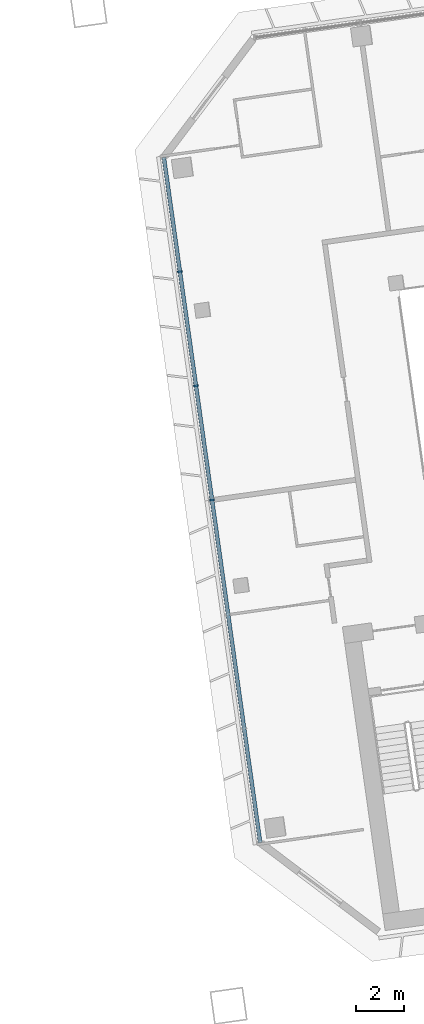
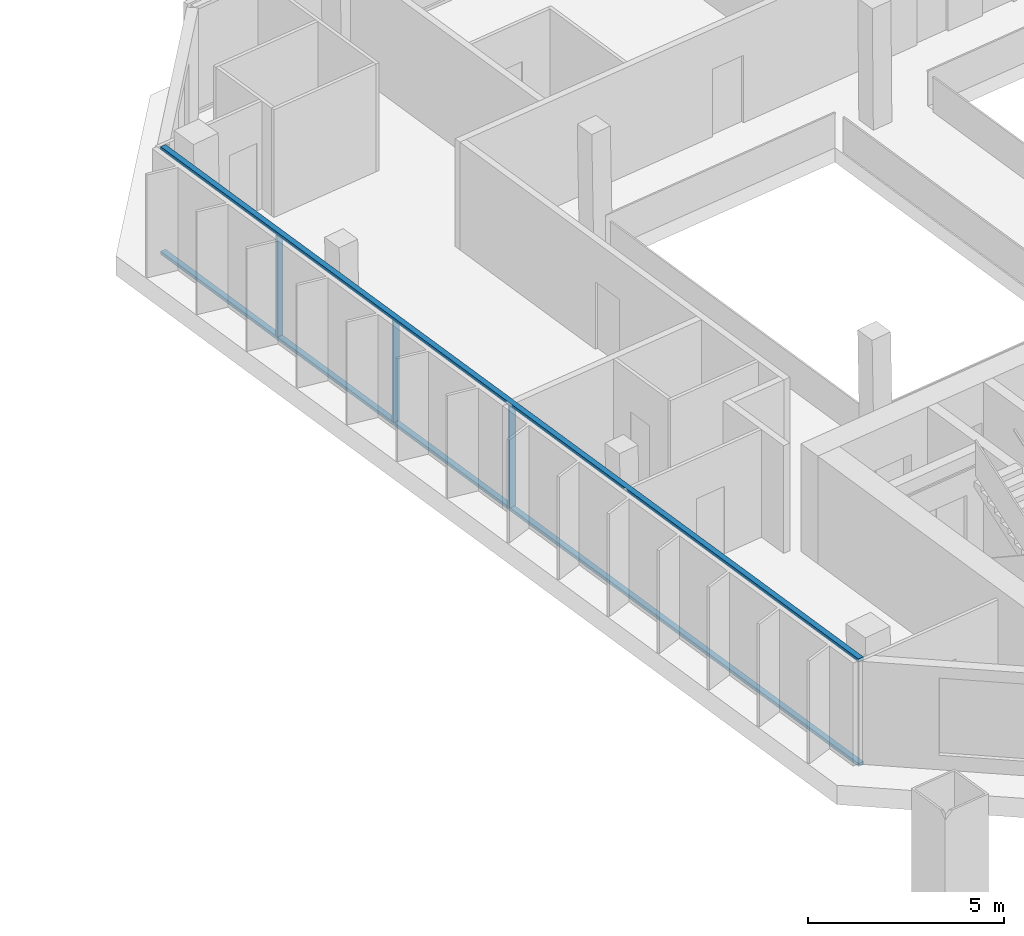
# One storey, part 7 of 26: 5 members, 1 element without a shape of its own.
"""IFC4 building model written with IfcOpenShell, lengths in metres."""

from ifc_helpers import new_model, si_unit, direction, frame, origin, origin_2d, place, context, subcontext, project, spatial, rectangle, extrude, material, material_profile, profile_set, type_object, element, aggregate, save


model = new_model("IFC4")

# Units and contexts
model_context = context("Model", 3, precision=1e-05, world=origin(), true_north=direction((0.0, 1.0)))
body_context = subcontext(model_context, "Body", "Model", "MODEL_VIEW")
ifc_project = project(units=[si_unit("LENGTHUNIT", "METRE"), si_unit("AREAUNIT", "SQUARE_METRE"), si_unit("VOLUMEUNIT", "CUBIC_METRE"), si_unit("PLANEANGLEUNIT", "RADIAN"), si_unit("MASSUNIT", "GRAM", prefix="KILO")], contexts=[model_context])

# Site, building, storey
site_placement = place(None, origin())
site = spatial("IfcSite", under=ifc_project, at=site_placement, CompositionType="ELEMENT")
building_placement = place(site_placement, origin())
building = spatial("IfcBuilding", under=site, at=building_placement, Name="Mirante Cascada Hotel Towers", CompositionType="ELEMENT")
storey_placement = place(building_placement, frame((0.0, 0.0, 161.2)))
storey = spatial("IfcBuildingStorey", under=building, at=storey_placement, Name="L37", CompositionType="ELEMENT", Elevation=161.2)

# Curtain wall, members
ifc_material_1 = material(Name="Aluminium mullion and transom frame with clear laminated glass", Category="aluminium")
curtain_wall_type = type_object("IfcCurtainWallType", Name="End ribbon curtain wall ECW2", PredefinedType="NOTDEFINED", material=ifc_material_1)
curtain_wall_placement = place(storey_placement, origin())
curtain_wall = element("IfcCurtainWall", 1, at=curtain_wall_placement, inside=storey, type_object=curtain_wall_type, Name="Inner end wall T2 L37", PredefinedType="NOTDEFINED")
ifc_material_2 = material(Name="Anodised aluminium extrusion", Category="aluminium")
ifc_material_profile_1 = material_profile(ifc_material_2, rectangle(XDim=0.2, YDim=0.065, at=origin_2d()), Name="ECW2 MULLION 65x200")
ifc_profile_set_1 = profile_set([ifc_material_profile_1], Name="Anodised aluminium extrusion")
member_type_1 = type_object("IfcMemberType", Name="ECW2 mullion 65x200", PredefinedType="MULLION", material=ifc_profile_set_1)
member_1_placement = place(storey_placement, frame((28.7078, 7.5382, 0.1), z_axis=(0.0, 0.0, 1.0), x_axis=(0.9902681, 0.1391731, 0.0)))
member_1 = element("IfcMember", 2, at=member_1_placement, type_object=member_type_1, Name="ECW2 mullion 2", PredefinedType="MULLION", context=body_context, shape_type="SweptSolid", body=[
    extrude(rectangle(XDim=0.2, YDim=0.065, at=origin_2d()), origin(), (0.0, 0.0, 1.0), 3.15),
])
member_2_placement = place(storey_placement, frame((29.3775, 2.7724, 0.1), z_axis=(0.0, 0.0, 1.0), x_axis=(0.9902681, 0.1391731, 0.0)))
member_2 = element("IfcMember", 3, at=member_2_placement, type_object=member_type_1, Name="ECW2 mullion 3", PredefinedType="MULLION", context=body_context, shape_type="SweptSolid", body=[
    extrude(rectangle(XDim=0.2, YDim=0.065, at=origin_2d()), origin(), (0.0, 0.0, 1.0), 3.15),
])
member_3_placement = place(storey_placement, frame((30.0473, -1.9933, 0.1), z_axis=(0.0, 0.0, 1.0), x_axis=(0.9902681, 0.1391731, 0.0)))
member_3 = element("IfcMember", 4, at=member_3_placement, type_object=member_type_1, Name="ECW2 mullion 4", PredefinedType="MULLION", context=body_context, shape_type="SweptSolid", body=[
    extrude(rectangle(XDim=0.2, YDim=0.065, at=origin_2d()), origin(), (0.0, 0.0, 1.0), 3.15),
])
ifc_material_3 = material(Name="Anodised aluminium extrusion", Category="aluminium")
ifc_material_profile_2 = material_profile(ifc_material_3, rectangle(XDim=0.16, YDim=0.1, at=origin_2d()), Name="ECW2 TRANSOM 100x160")
ifc_profile_set_2 = profile_set([ifc_material_profile_2], Name="Anodised aluminium extrusion")
member_type_2 = type_object("IfcMemberType", Name="ECW2 transom 100x160", PredefinedType="USERDEFINED", material=ifc_profile_set_2)
member_4_placement = place(storey_placement, frame((28.038, 12.304, 0.05), z_axis=(0.1391723, -0.9902682, 0.0), x_axis=(0.9902682, 0.1391723, 0.0)))
member_4 = element("IfcMember", 5, at=member_4_placement, type_object=member_type_2, Name="ECW2 sill transom", ObjectType="TRANSOM", PredefinedType="USERDEFINED", context=body_context, shape_type="SweptSolid", body=[
    extrude(rectangle(XDim=0.16, YDim=0.1, at=origin_2d()), origin(), (0.0, 0.0, 1.0), 28.8757),
])
member_5_placement = place(storey_placement, frame((28.038, 12.304, 3.3), z_axis=(0.1391723, -0.9902682, 0.0), x_axis=(0.9902682, 0.1391723, 0.0)))
member_5 = element("IfcMember", 6, at=member_5_placement, type_object=member_type_2, Name="ECW2 head transom", ObjectType="TRANSOM", PredefinedType="USERDEFINED", context=body_context, shape_type="SweptSolid", body=[
    extrude(rectangle(XDim=0.16, YDim=0.1, at=origin_2d()), origin(), (0.0, 0.0, 1.0), 28.8757),
])
aggregate(curtain_wall, [member_4, member_5, member_1, member_2, member_3])

save(model, "model.ifc")
